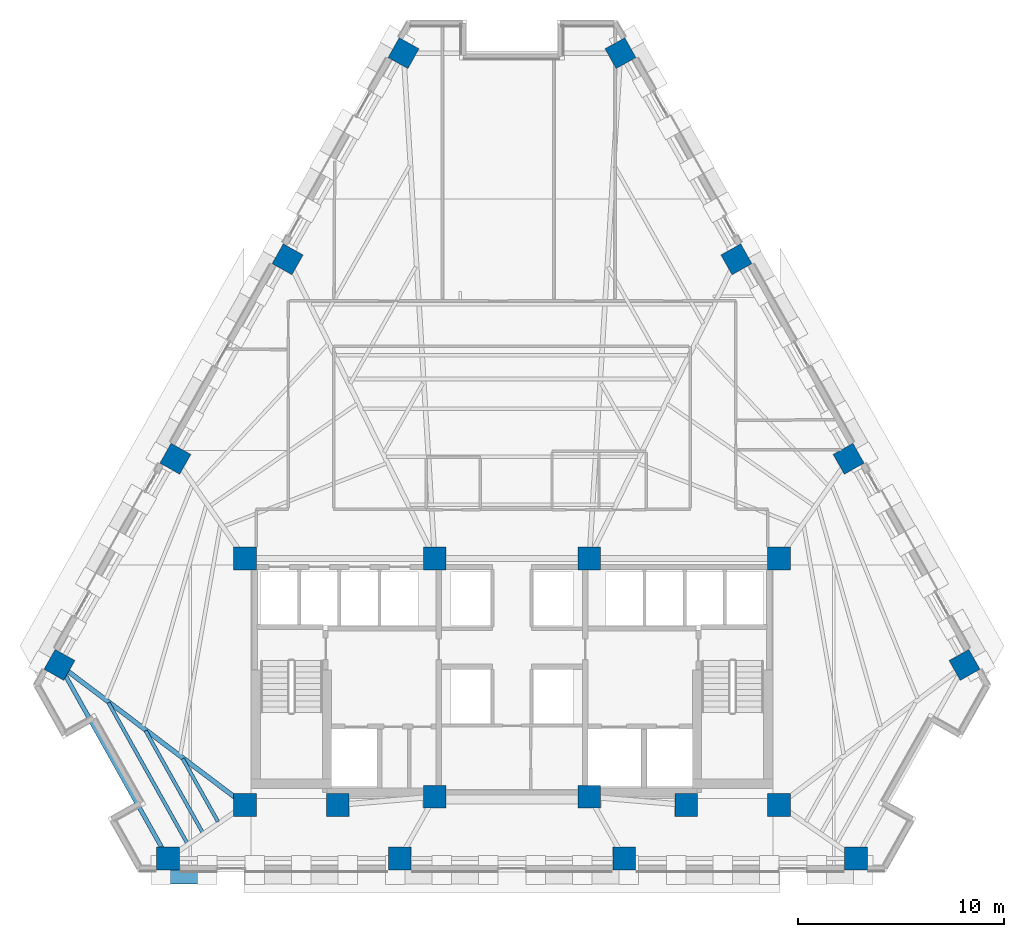
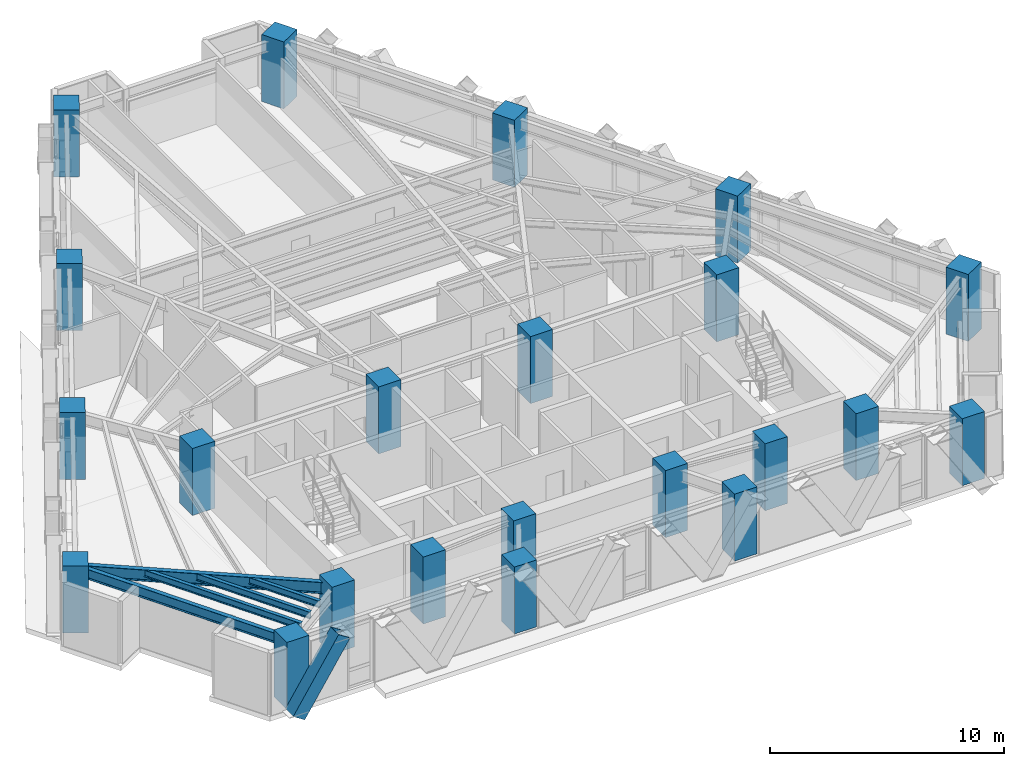
# One storey, part 1 of 13: 22 columns, 5 beams, 1 member.
"""IFC4 building model written with IfcOpenShell, lengths in metres."""

from ifc_helpers import new_model, si_unit, direction, frame, origin, origin_2d, place, context, subcontext, project, spatial, rectangle, hollow_rectangle, i_section, extrude, material, material_profile, profile_set, type_object, element, save


model = new_model("IFC4")

# Units and contexts
model_context = context("Model", 3, precision=1e-05, world=origin(), true_north=direction((0.0, 1.0)))
body_context = subcontext(model_context, "Body", "Model", "MODEL_VIEW")
ifc_project = project(units=[si_unit("LENGTHUNIT", "METRE"), si_unit("AREAUNIT", "SQUARE_METRE"), si_unit("VOLUMEUNIT", "CUBIC_METRE"), si_unit("PLANEANGLEUNIT", "RADIAN"), si_unit("MASSUNIT", "GRAM", prefix="KILO")], contexts=[model_context])

# Site, building, storey
site_placement = place(None, origin())
site = spatial("IfcSite", under=ifc_project, at=site_placement, CompositionType="ELEMENT")
building_placement = place(site_placement, origin())
building = spatial("IfcBuilding", under=site, at=building_placement, Name="Quenlor Broadcast Tower", CompositionType="ELEMENT")
storey_placement = place(building_placement, frame((0.0, 0.0, 76.60009765625)))
storey = spatial("IfcBuildingStorey", under=building, at=storey_placement, Name="L20", CompositionType="ELEMENT", Elevation=76.60009765625)

# Columns
ifc_material_1 = material(Name="Concrete C65/80", Category="concrete")
ifc_material_profile_1 = material_profile(ifc_material_1, rectangle(XDim=1.10009765625, YDim=1.10009765625, at=origin_2d()))
ifc_profile_set_1 = profile_set([ifc_material_profile_1], Name="Concrete C65/80 RC1100x1100")
column_type_1 = type_object("IfcColumnType", Name="Core Corner Column Mid Concrete C65/80 1100", PredefinedType="COLUMN", material=ifc_profile_set_1)
for number, where, z_axis, x_axis, name in (
    (1, (-12.949951171875, -16.75, 0.0), (0.0, 0.0, 1.0), (1.0, 0.0, 0.0), "L20 Core Column CC1"),
    (2, (-8.449951171875, -16.75, 0.0), (0.0, 0.0, 1.0), (1.0, 0.0, 0.0), "L20 Core Column CC2"),
    (3, (-3.75, -16.35009765625, 0.0), (0.0, 0.0, 1.0), (1.0, 0.0, 0.0), "L20 Core Column CC3"),
    (4, (3.75, -16.35009765625, 0.0), (0.0, 0.0, 1.0), (1.0, 0.0, 0.0), "L20 Core Column CC4"),
    (5, (8.449951171875, -16.75, 0.0), (0.0, 0.0, 1.0), (1.0, 0.0, 0.0), "L20 Core Column CC5"),
    (6, (12.949951171875, -16.75, 0.0), (0.0, 0.0, 1.0), (1.0, 0.0, 0.0), "L20 Core Column CC6"),
    (7, (-12.949951171875, -4.800048828125, 0.0), (0.0, 0.0, 1.0), (1.0, 0.0, 0.0), "L20 Core Column CC7"),
    (8, (-3.75, -4.800048828125, 0.0), (0.0, 0.0, 1.0), (1.0, 0.0, 0.0), "L20 Core Column CC8"),
    (9, (3.75, -4.800048828125, 0.0), (0.0, 0.0, 1.0), (1.0, 0.0, 0.0), "L20 Core Column CC9"),
    (10, (12.949951171875, -4.800048828125, 0.0), (0.0, 0.0, 1.0), (1.0, 0.0, 0.0), "L20 Core Column CC10"),
):
    element("IfcColumn", number, at=place(storey_placement, frame(where, z_axis=z_axis, x_axis=x_axis)), inside=storey, type_object=column_type_1, Name=name, PredefinedType="COLUMN", context=body_context, shape_type="SweptSolid", body=[
        extrude(rectangle(XDim=1.10009765625, YDim=1.10009765625, at=origin_2d()), origin(), (0.0, 0.0, 1.0), 3.5),
    ])
ifc_material_2 = material(Name="Concrete C65/80", Category="concrete")
ifc_material_profile_2 = material_profile(ifc_material_2, rectangle(XDim=1.10009765625, YDim=1.10009765625, at=origin_2d()))
ifc_profile_set_2 = profile_set([ifc_material_profile_2], Name="Concrete C65/80 RC1100x1100")
column_type_2 = type_object("IfcColumnType", Name="Tower Perimeter Column Z2 Concrete C65/80 1100", PredefinedType="COLUMN", material=ifc_profile_set_2)
for number, where, z_axis, x_axis, name in (
    (11, (-16.6923828125, -19.35009765625, 0.0), (0.0, 0.0, 1.0), (0.0, 1.0, 0.0), "L20 Perimeter Column S1"),
    (12, (-5.443115234375, -19.35009765625, 0.0), (0.0, 0.0, 1.0), (0.0, 1.0, 0.0), "L20 Perimeter Column S2"),
    (13, (5.443115234375, -19.35009765625, 0.0), (0.0, 0.0, 1.0), (0.0, 1.0, 0.0), "L20 Perimeter Column S3"),
    (14, (16.6923828125, -19.35009765625, 0.0), (0.0, 0.0, 1.0), (0.0, 1.0, 0.0), "L20 Perimeter Column S4"),
    (15, (21.95458984375, -9.95654296875, 0.0), (0.0, 0.0, 1.0), (0.871575139605, 0.490261946333, 0.0), "L20 Perimeter Column NE1"),
    (16, (16.330078125, 0.04296875, 0.0), (0.0, 0.0, 1.0), (0.871575139605, 0.490261946333, 0.0), "L20 Perimeter Column NE2"),
    (17, (10.886962890625, 9.7197265625, 0.0), (0.0, 0.0, 1.0), (0.871575139605, 0.490261946333, 0.0), "L20 Perimeter Column NE3"),
    (18, (5.26220703125, 19.718994140625, 0.0), (0.0, 0.0, 1.0), (0.871575139605, 0.490261946333, 0.0), "L20 Perimeter Column NE4"),
    (19, (-5.26220703125, 19.718994140625, 0.0), (0.0, 0.0, 1.0), (-0.871575139605, 0.490261946333, 0.0), "L20 Perimeter Column NW1"),
    (20, (-10.886962890625, 9.7197265625, 0.0), (0.0, 0.0, 1.0), (-0.871575139605, 0.490261946333, 0.0), "L20 Perimeter Column NW2"),
    (21, (-16.330078125, 0.04296875, 0.0), (0.0, 0.0, 1.0), (-0.871575139605, 0.490261946333, 0.0), "L20 Perimeter Column NW3"),
    (22, (-21.95458984375, -9.95654296875, 0.0), (0.0, 0.0, 1.0), (-0.871575139605, 0.490261946333, 0.0), "L20 Perimeter Column NW4"),
):
    element("IfcColumn", number, at=place(storey_placement, frame(where, z_axis=z_axis, x_axis=x_axis)), inside=storey, type_object=column_type_2, Name=name, PredefinedType="COLUMN", context=body_context, shape_type="SweptSolid", body=[
        extrude(rectangle(XDim=1.10009765625, YDim=1.10009765625, at=origin_2d()), origin(), (0.0, 0.0, 1.0), 3.5),
    ])

# Member
ifc_material_3 = material(Name="Steel S355", Category="steel")
ifc_material_profile_3 = material_profile(ifc_material_3, hollow_rectangle(XDim=0.679931640625, YDim=0.679931640625, WallThickness=0.030029296875, at=origin_2d()))
ifc_profile_set_3 = profile_set([ifc_material_profile_3], Name="Steel S355 RHS680x680x30")
member_type = type_object("IfcMemberType", Name="Perimeter Diagonal Lattice Brace Z2 Steel S355 RHS680x30", PredefinedType="BRACE", material=ifc_profile_set_3)
member_placement = place(storey_placement, frame((-17.030517578125, -20.235107421875, -0.1201171875), z_axis=(0.539968035679, 0.0, 0.841685523485), x_axis=(0.0, 1.0, 0.0)))
element("IfcMember", 23, at=member_placement, inside=storey, type_object=member_type, Name="L20 Perimeter Diamond Lattice S-C5B", PredefinedType="BRACE", context=body_context, shape_type="SweptSolid", body=[
    extrude(hollow_rectangle(XDim=0.679931640625, YDim=0.679931640625, WallThickness=0.030029296875, at=origin_2d()), origin(), (0.0, 0.0, 1.0), 4.158203125),
])

# Beams
ifc_material_4 = material(Name="Steel S355", Category="steel")
ifc_material_profile_4 = material_profile(ifc_material_4, i_section(OverallWidth=0.208984375, OverallDepth=0.5283203125, WebThickness=0.009521484375, FlangeThickness=0.01318359375, FilletRadius=0.013916015625, at=origin_2d()))
ifc_profile_set_4 = profile_set([ifc_material_profile_4], Name="Steel S355 530UB82.0")
beam_type_1 = type_object("IfcBeamType", Name="Perimeter Spandrel Beam Z2 Steel S355 530UB82.0", PredefinedType="SPANDREL", material=ifc_profile_set_4)
beam_1_placement = place(storey_placement, frame((-21.75439453125, -10.314208984375, 2.98583984375), z_axis=(0.488749102779, -0.872424389006, 0.0), x_axis=(0.872424389006, 0.488749102779, 0.0)))
element("IfcBeam", 24, at=beam_1_placement, inside=storey, type_object=beam_type_1, Name="L20 Spandrel Beam NW4-S1", PredefinedType="SPANDREL", context=body_context, shape_type="SweptSolid", body=[
    extrude(i_section(OverallWidth=0.208984375, OverallDepth=0.5283203125, WebThickness=0.009521484375, FlangeThickness=0.01318359375, FilletRadius=0.013916015625, at=origin_2d()), origin(), (0.0, 0.0, 1.0), 9.947021484375),
])
ifc_material_5 = material(Name="Steel S355", Category="steel")
ifc_material_profile_5 = material_profile(ifc_material_5, i_section(OverallWidth=0.172119140625, OverallDepth=0.358642578125, WebThickness=0.008056640625, FlangeThickness=0.012939453125, FilletRadius=0.011474609375, at=origin_2d()))
ifc_profile_set_5 = profile_set([ifc_material_profile_5], Name="Steel S355 360UB56.7")
beam_type_2 = type_object("IfcBeamType", Name="Tower Composite Joist Z2-Z3 Steel S355 360UB56.7", PredefinedType="JOIST", material=ifc_profile_set_5)
beam_2_placement = place(storey_placement, frame((-14.261474609375, -17.564208984375, 3.070556640625), z_axis=(-0.488730779643, 0.87243465373, 0.0), x_axis=(-0.87243465373, -0.488730779643, 0.0)))
element("IfcBeam", 25, at=beam_2_placement, inside=storey, type_object=beam_type_2, Name="L20 Secondary Composite Joist 19", PredefinedType="JOIST", context=body_context, shape_type="SweptSolid", body=[
    extrude(i_section(OverallWidth=0.172119140625, OverallDepth=0.358642578125, WebThickness=0.008056640625, FlangeThickness=0.012939453125, FilletRadius=0.011474609375, at=origin_2d()), origin(), (0.0, 0.0, 1.0), 3.500732421875),
])
beam_3_placement = place(storey_placement, frame((-15.010009765625, -18.084228515625, 3.070556640625), z_axis=(-0.488741419435, 0.87242869332, 0.0), x_axis=(-0.87242869332, -0.488741419435, 0.0)))
element("IfcBeam", 26, at=beam_3_placement, inside=storey, type_object=beam_type_2, Name="L20 Secondary Composite Joist 20", PredefinedType="JOIST", context=body_context, shape_type="SweptSolid", body=[
    extrude(i_section(OverallWidth=0.172119140625, OverallDepth=0.358642578125, WebThickness=0.008056640625, FlangeThickness=0.012939453125, FilletRadius=0.011474609375, at=origin_2d()), origin(), (0.0, 0.0, 1.0), 5.654052734375),
])
beam_4_placement = place(storey_placement, frame((-15.758544921875, -18.604248046875, 3.070556640625), z_axis=(-0.488732857155, 0.872433489922, 0.0), x_axis=(-0.872433489922, -0.488732857155, 0.0)))
element("IfcBeam", 27, at=beam_4_placement, inside=storey, type_object=beam_type_2, Name="L20 Secondary Composite Joist 21", PredefinedType="JOIST", context=body_context, shape_type="SweptSolid", body=[
    extrude(i_section(OverallWidth=0.172119140625, OverallDepth=0.358642578125, WebThickness=0.008056640625, FlangeThickness=0.012939453125, FilletRadius=0.011474609375, at=origin_2d()), origin(), (0.0, 0.0, 1.0), 7.807861328125),
])
ifc_material_6 = material(Name="Steel S355", Category="steel")
ifc_material_profile_6 = material_profile(ifc_material_6, i_section(OverallWidth=0.22802734375, OverallDepth=0.60205078125, WebThickness=0.010498046875, FlangeThickness=0.014892578125, FilletRadius=0.013916015625, at=origin_2d()))
ifc_profile_set_6 = profile_set([ifc_material_profile_6], Name="Steel S355 610UB101")
beam_type_3 = type_object("IfcBeamType", Name="Tower Primary Floor Beam Z2 Steel S355 610UB101", PredefinedType="BEAM", material=ifc_profile_set_6)
beam_5_placement = place(storey_placement, frame((-21.62744140625, -10.203369140625, 2.948974609375), z_axis=(0.798298724007, -0.602261693327, 0.0), x_axis=(0.602261693327, 0.798298724007, 0.0)))
element("IfcBeam", 28, at=beam_5_placement, inside=storey, type_object=beam_type_3, Name="L20 Primary Radial Beam NW4", PredefinedType="BEAM", context=body_context, shape_type="SweptSolid", body=[
    extrude(i_section(OverallWidth=0.22802734375, OverallDepth=0.60205078125, WebThickness=0.010498046875, FlangeThickness=0.014892578125, FilletRadius=0.013916015625, at=origin_2d()), origin(), (0.0, 0.0, 1.0), 10.48974609375),
])

save(model, "model.ifc")
